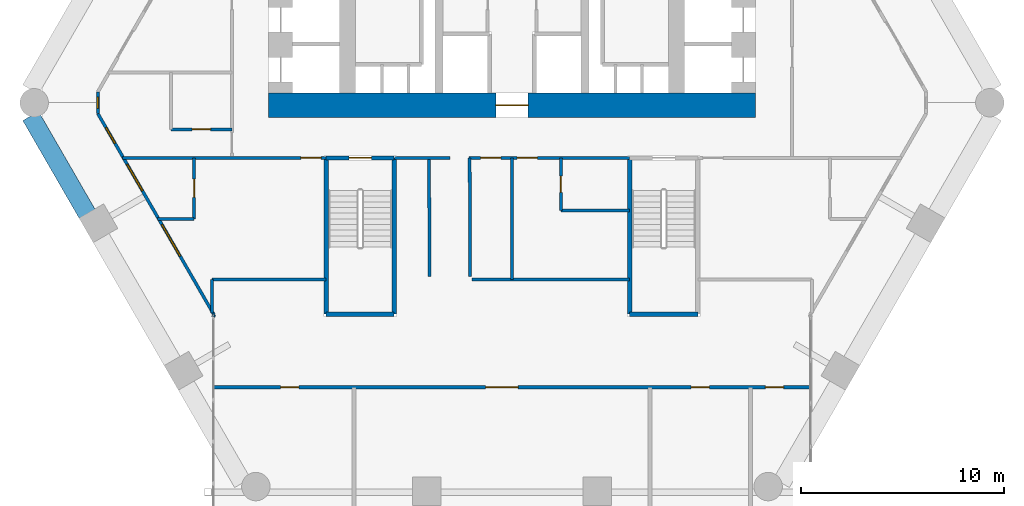
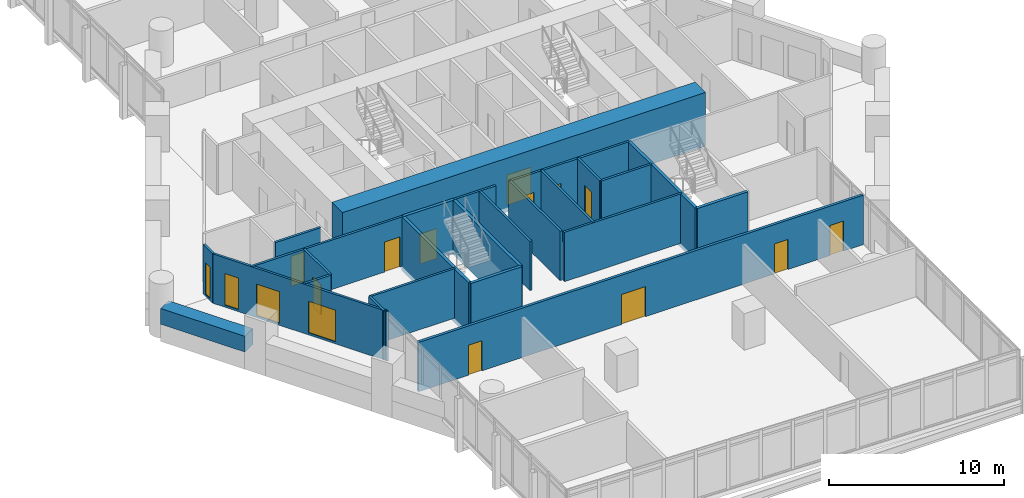
# One storey, part 23 of 28: 26 walls, 12 doors, 4 windows, 16 openings.
"""IFC4 building model written with IfcOpenShell, lengths in metres."""

from ifc_helpers import new_model, si_unit, direction, frame, frame_2d, origin, place, context, subcontext, project, spatial, rectangle, extrude, material, layer, layer_set, type_object, element, fill, save


model = new_model("IFC4")

# Units and contexts
model_context = context("Model", 3, precision=1e-05, world=origin(), true_north=direction((0.0, 1.0)))
body_context = subcontext(model_context, "Body", "Model", "MODEL_VIEW")
ifc_project = project(units=[si_unit("LENGTHUNIT", "METRE"), si_unit("AREAUNIT", "SQUARE_METRE"), si_unit("VOLUMEUNIT", "CUBIC_METRE"), si_unit("PLANEANGLEUNIT", "RADIAN"), si_unit("MASSUNIT", "GRAM", prefix="KILO")], contexts=[model_context])

# Site, building, storey
site_placement = place(None, origin())
site = spatial("IfcSite", under=ifc_project, at=site_placement, CompositionType="ELEMENT")
building_placement = place(site_placement, origin())
building = spatial("IfcBuilding", under=site, at=building_placement, Name="Ostrander Bayou Hotel Tower", CompositionType="ELEMENT")
storey_placement = place(building_placement, frame((0.0, 0.0, 73.0)))
storey = spatial("IfcBuildingStorey", under=building, at=storey_placement, Name="L18", CompositionType="ELEMENT", Elevation=73.0)

# Wall, opening, door
ifc_material_1 = material(Name="Concrete f'c 70 MPa", Category="concrete")
ifc_layer_1 = layer(ifc_material_1, 1.199951171875)
ifc_layer_set_1 = layer_set([ifc_layer_1], Name="CW1 core wall 1200 mm f'c 70 MPa")
wall_type_1 = type_object("IfcWallType", Name="CW1 core wall 1200 mm f'c 70 MPa", PredefinedType="SHEAR", material=ifc_layer_set_1)
wall_1_placement = place(storey_placement, frame((-12.0, -1.10009765625, -0.300048828125), z_axis=(0.0, 0.0, 1.0), x_axis=(1.0, 0.0, 0.0)))
wall_1 = element("IfcWall", 1, at=wall_1_placement, inside=storey, type_object=wall_type_1, Name="CW1 L18 S", PredefinedType="SHEAR", context=body_context, shape_type="SweptSolid", body=[
    extrude(rectangle(XDim=24.0, YDim=1.199951171875, at=frame_2d((12.0, 0.0))), origin(), (0.0, 0.0, 1.0), 3.75),
])
opening_1_placement = place(wall_1_placement, frame((11.199951171875, 0.0, 0.0)))
opening_1 = element("IfcOpeningElement", 2, at=opening_1_placement, cuts=wall_1, Name="Opening T18-001", PredefinedType="OPENING", context=body_context, shape_type="SweptSolid", body=[
    extrude(rectangle(XDim=1.60009765625, YDim=2.10009765625, at=frame_2d((0.800048828125, 1.050048828125))), frame((0.0, 0.60009765625, 0.0), z_axis=(0.0, -1.0, 0.0), x_axis=(1.0, 0.0, 0.0)), (0.0, 0.0, 1.0), 1.199951171875),
])
ifc_material_2 = material(Name="Timber door leaf", Category="wood")
door_type_1 = type_object("IfcDoorType", Name="D13 double door 1600 x 2100 mm, 1 hour", OperationType="SINGLE_SWING_LEFT", PredefinedType="DOOR", material=ifc_material_2)
door_1_placement = place(opening_1_placement, origin())
door_1 = element("IfcDoor", 3, at=door_1_placement, inside=storey, type_object=door_type_1, Name="dr:L18:001", OperationType="DOUBLE_DOOR_SINGLE_SWING", OverallHeight=2.10009765625, OverallWidth=1.60009765625, PredefinedType="DOOR", context=body_context, shape_type="SweptSolid", body=[
    extrude(rectangle(XDim=1.60009765625, YDim=2.10009765625, at=frame_2d((0.800048828125, 1.050048828125))), frame((0.0, 0.02490234375, 0.0), z_axis=(0.0, -1.0, 0.0), x_axis=(1.0, 0.0, 0.0)), (0.0, 0.0, 1.0), 0.050048828125),
])
fill(opening_1, door_1)

# Wall, openings, windows
ifc_material_3 = material(Name="Aluminium framed insulated wall", Category="aluminium")
ifc_layer_2 = layer(ifc_material_3, 0.14990234375)
ifc_layer_set_2 = layer_set([ifc_layer_2], Name="GW1 glass-line wall 150 mm")
wall_type_2 = type_object("IfcWallType", Name="GW1 glass-line wall 150 mm", PredefinedType="SOLIDWALL", material=ifc_layer_set_2)
wall_2_placement = place(storey_placement, frame((-20.40087890625, -1.514404296875, 0.0), z_axis=(0.0, 0.0, 1.0), x_axis=(0.499991453095, -0.866030338286, 0.0)))
wall_2 = element("IfcWall", 4, at=wall_2_placement, inside=storey, type_object=wall_type_2, Name="GW1 L18 SW 1", PredefinedType="SOLIDWALL", context=body_context, shape_type="SweptSolid", body=[
    extrude(rectangle(XDim=11.444091796875, YDim=0.14990234375, at=frame_2d((5.72216796875, 0.0))), origin(), (0.0, 0.0, 1.0), 3.449951171875),
])
opening_2_placement = place(wall_2_placement, frame((0.7890625, 0.0, 0.14990234375)))
opening_2 = element("IfcOpeningElement", 5, at=opening_2_placement, cuts=wall_2, Name="Opening W15", PredefinedType="OPENING", context=body_context, shape_type="SweptSolid", body=[
    extrude(rectangle(XDim=0.89990234375, YDim=2.199951171875, at=frame_2d((0.449951171875, 1.10009765625))), frame((0.0, 0.074951171875, 0.0), z_axis=(0.0, -1.0, 0.0), x_axis=(1.0, 0.0, 0.0)), (0.0, 0.0, 1.0), 0.14990234375),
])
opening_3_placement = place(wall_2_placement, frame((2.888916015625, 0.0, 0.14990234375)))
opening_3 = element("IfcOpeningElement", 6, at=opening_3_placement, cuts=wall_2, Name="Opening W11", PredefinedType="OPENING", context=body_context, shape_type="SweptSolid", body=[
    extrude(rectangle(XDim=1.5, YDim=2.199951171875, at=frame_2d((0.75, 1.10009765625))), frame((0.0, 0.074951171875, 0.0), z_axis=(0.0, -1.0, 0.0), x_axis=(1.0, 0.0, 0.0)), (0.0, 0.0, 1.0), 0.14990234375),
])
opening_4_placement = place(wall_2_placement, frame((6.31201171875, 0.0, 0.14990234375)))
opening_4 = element("IfcOpeningElement", 7, at=opening_4_placement, cuts=wall_2, Name="Opening W7", PredefinedType="OPENING", context=body_context, shape_type="SweptSolid", body=[
    extrude(rectangle(XDim=1.800048828125, YDim=2.199951171875, at=frame_2d((0.89990234375, 1.10009765625))), frame((0.0, 0.074951171875, 0.0), z_axis=(0.0, -1.0, 0.0), x_axis=(1.0, 0.0, 0.0)), (0.0, 0.0, 1.0), 0.14990234375),
])
ifc_material_4 = material(Name="Aluminium and clear glass", Category="aluminium")
window_type_1 = type_object("IfcWindowType", Name="W11 fixed window 1500 mm, bath bay, zone 1", PartitioningType="SINGLE_PANEL", PredefinedType="WINDOW", material=ifc_material_4)
window_1_placement = place(opening_3_placement, origin())
window_1 = element("IfcWindow", 8, at=window_1_placement, inside=storey, type_object=window_type_1, Name="W11 L18 SW 1", OverallHeight=2.199951171875, OverallWidth=1.5, PartitioningType="SINGLE_PANEL", PredefinedType="WINDOW", context=body_context, shape_type="SweptSolid", body=[
    extrude(rectangle(XDim=1.5, YDim=2.199951171875, at=frame_2d((0.75, 1.10009765625))), frame((0.0, 0.030029296875, 0.0), z_axis=(0.0, -1.0, 0.0), x_axis=(1.0, 0.0, 0.0)), (0.0, 0.0, 1.0), 0.06005859375),
])
fill(opening_3, window_1)
ifc_material_5 = material(Name="Aluminium and clear glass", Category="aluminium")
window_type_2 = type_object("IfcWindowType", Name="W15 window 900 mm, zone 1", PartitioningType="SINGLE_PANEL", PredefinedType="WINDOW", material=ifc_material_5)
window_2_placement = place(opening_2_placement, origin())
window_2 = element("IfcWindow", 9, at=window_2_placement, inside=storey, type_object=window_type_2, Name="W15 L18 SW 1", OverallHeight=2.199951171875, OverallWidth=0.89990234375, PartitioningType="SINGLE_PANEL", PredefinedType="WINDOW", context=body_context, shape_type="SweptSolid", body=[
    extrude(rectangle(XDim=0.89990234375, YDim=2.199951171875, at=frame_2d((0.449951171875, 1.10009765625))), frame((0.0, 0.030029296875, 0.0), z_axis=(0.0, -1.0, 0.0), x_axis=(1.0, 0.0, 0.0)), (0.0, 0.0, 1.0), 0.06005859375),
])
fill(opening_2, window_2)
ifc_material_6 = material(Name="Aluminium and clear glass", Category="aluminium")
window_type_3 = type_object("IfcWindowType", Name="W7 fixed window 1800 mm, bar storeys, zone 1", PartitioningType="SINGLE_PANEL", PredefinedType="WINDOW", material=ifc_material_6)
window_3_placement = place(opening_4_placement, origin())
window_3 = element("IfcWindow", 10, at=window_3_placement, inside=storey, type_object=window_type_3, Name="W7 L18 SW 2", OverallHeight=2.199951171875, OverallWidth=1.800048828125, PartitioningType="SINGLE_PANEL", PredefinedType="WINDOW", context=body_context, shape_type="SweptSolid", body=[
    extrude(rectangle(XDim=1.800048828125, YDim=2.199951171875, at=frame_2d((0.89990234375, 1.10009765625))), frame((0.0, 0.030029296875, 0.0), z_axis=(0.0, -1.0, 0.0), x_axis=(1.0, 0.0, 0.0)), (0.0, 0.0, 1.0), 0.06005859375),
])
fill(opening_4, window_3)

# Wall, opening, window
wall_3_placement = place(storey_placement, frame((-20.40087890625, -0.449462890625, 0.0), z_axis=(0.0, 0.0, 1.0), x_axis=(0.0, -1.0, 0.0)))
wall_3 = element("IfcWall", 11, at=wall_3_placement, inside=storey, type_object=wall_type_2, Name="GW1 L18 corner 2", PredefinedType="SOLIDWALL", context=body_context, shape_type="SweptSolid", body=[
    extrude(rectangle(XDim=1.06494140625, YDim=0.14990234375, at=frame_2d((0.532470703125, 0.0))), origin(), (0.0, 0.0, 1.0), 3.449951171875),
])
opening_5_placement = place(wall_3_placement, frame((0.257568359375, 0.0, 0.14990234375)))
opening_5 = element("IfcOpeningElement", 12, at=opening_5_placement, cuts=wall_3, Name="Opening W19", PredefinedType="OPENING", context=body_context, shape_type="SweptSolid", body=[
    extrude(rectangle(XDim=0.550048828125, YDim=2.199951171875, at=frame_2d((0.27490234375, 1.10009765625))), frame((0.0, 0.074951171875, 0.0), z_axis=(0.0, -1.0, 0.0), x_axis=(1.0, 0.0, 0.0)), (0.0, 0.0, 1.0), 0.14990234375),
])
ifc_material_7 = material(Name="Aluminium and clear glass", Category="aluminium")
window_type_4 = type_object("IfcWindowType", Name="W19 corner window 550 mm", PartitioningType="SINGLE_PANEL", PredefinedType="WINDOW", material=ifc_material_7)
window_4_placement = place(opening_5_placement, origin())
window_4 = element("IfcWindow", 13, at=window_4_placement, inside=storey, type_object=window_type_4, Name="W19 L18 corner 2", OverallHeight=2.199951171875, OverallWidth=0.550048828125, PartitioningType="SINGLE_PANEL", PredefinedType="WINDOW", context=body_context, shape_type="SweptSolid", body=[
    extrude(rectangle(XDim=0.550048828125, YDim=2.199951171875, at=frame_2d((0.27490234375, 1.10009765625))), frame((0.0, 0.030029296875, 0.0), z_axis=(0.0, -1.0, 0.0), x_axis=(1.0, 0.0, 0.0)), (0.0, 0.0, 1.0), 0.06005859375),
])
fill(opening_5, window_4)

# Walls
wall_4_placement = place(storey_placement, frame((-14.678955078125, -11.42529296875, 0.0), z_axis=(0.0, 0.0, 1.0), x_axis=(-0.338543167143, -0.940950861619, 0.0)))
element("IfcWall", 14, at=wall_4_placement, inside=storey, type_object=wall_type_2, Name="GW1 L18 bar joint 1", PredefinedType="SOLIDWALL", context=body_context, shape_type="SweptSolid", body=[
    extrude(rectangle(XDim=0.09814453125, YDim=0.14990234375, at=frame_2d((0.049072265625, 0.0))), origin(), (0.0, 0.0, 1.0), 3.449951171875),
])
ifc_material_8 = material(Name="Limestone masonry", Category="masonry")
ifc_layer_3 = layer(ifc_material_8, 0.89990234375)
ifc_layer_set_3 = layer_set([ifc_layer_3], Name="PA2 limestone parapet 900 mm")
wall_type_3 = type_object("IfcWallType", Name="PA2 limestone parapet 900 mm", PredefinedType="PARAPET", material=ifc_layer_set_3)
wall_5_placement = place(storey_placement, frame((-23.707275390625, -1.637939453125, 0.0), z_axis=(0.0, 0.0, 1.0), x_axis=(0.500009557824, -0.866019885502, 0.0)))
element("IfcWall", 15, at=wall_5_placement, inside=storey, type_object=wall_type_3, Name="PA2 L18 SW-1", PredefinedType="PARAPET", context=body_context, shape_type="SweptSolid", body=[
    extrude(rectangle(XDim=5.56982421875, YDim=0.89990234375, at=frame_2d((2.784912109375, 0.0))), origin(), (0.0, 0.0, 1.0), 1.10009765625),
])

# Wall, openings, doors
ifc_material_9 = material(Name="Gypsum board partition", Category="finish")
ifc_layer_4 = layer(ifc_material_9, 0.175048828125)
ifc_layer_set_4 = layer_set([ifc_layer_4], Name="PT4 corridor wall 175 mm, 1 hour")
wall_type_4 = type_object("IfcWallType", Name="PT4 corridor wall 175 mm, 1 hour", PredefinedType="PARTITIONING", material=ifc_layer_set_4)
wall_6_placement = place(storey_placement, frame((-14.693115234375, -15.0, 0.0), z_axis=(0.0, 0.0, 1.0), x_axis=(1.0, 0.0, 0.0)))
wall_6 = element("IfcWall", 16, at=wall_6_placement, inside=storey, type_object=wall_type_4, Name="sw:L18:500", PredefinedType="PARTITIONING", context=body_context, shape_type="SweptSolid", body=[
    extrude(rectangle(XDim=29.38623046875, YDim=0.175048828125, at=frame_2d((14.693115234375, 0.0))), origin(), (0.0, 0.0, 1.0), 3.449951171875),
])
opening_6_placement = place(wall_6_placement, frame((3.29833984375, 0.0, 0.0)))
opening_6 = element("IfcOpeningElement", 17, at=opening_6_placement, cuts=wall_6, Name="Opening T18-1200", PredefinedType="OPENING", context=body_context, shape_type="SweptSolid", body=[
    extrude(rectangle(XDim=0.89990234375, YDim=2.10009765625, at=frame_2d((0.449951171875, 1.050048828125))), frame((0.0, 0.08740234375, 0.0), z_axis=(0.0, -1.0, 0.0), x_axis=(1.0, 0.0, 0.0)), (0.0, 0.0, 1.0), 0.175048828125),
])
opening_7_placement = place(wall_6_placement, frame((23.510498046875, 0.0, 0.0)))
opening_7 = element("IfcOpeningElement", 18, at=opening_7_placement, cuts=wall_6, Name="Opening T18-1204", PredefinedType="OPENING", context=body_context, shape_type="SweptSolid", body=[
    extrude(rectangle(XDim=0.89990234375, YDim=2.10009765625, at=frame_2d((0.449951171875, 1.050048828125))), frame((0.0, 0.08740234375, 0.0), z_axis=(0.0, -1.0, 0.0), x_axis=(1.0, 0.0, 0.0)), (0.0, 0.0, 1.0), 0.175048828125),
])
opening_8_placement = place(wall_6_placement, frame((27.16796875, 0.0, 0.0)))
opening_8 = element("IfcOpeningElement", 19, at=opening_8_placement, cuts=wall_6, Name="Opening T18-1205", PredefinedType="OPENING", context=body_context, shape_type="SweptSolid", body=[
    extrude(rectangle(XDim=0.89990234375, YDim=2.10009765625, at=frame_2d((0.449951171875, 1.050048828125))), frame((0.0, 0.08740234375, 0.0), z_axis=(0.0, -1.0, 0.0), x_axis=(1.0, 0.0, 0.0)), (0.0, 0.0, 1.0), 0.175048828125),
])
opening_9_placement = place(wall_6_placement, frame((13.393310546875, 0.0, 0.0)))
opening_9 = element("IfcOpeningElement", 20, at=opening_9_placement, cuts=wall_6, Name="Opening T18-1206", PredefinedType="OPENING", context=body_context, shape_type="SweptSolid", body=[
    extrude(rectangle(XDim=1.60009765625, YDim=2.10009765625, at=frame_2d((0.800048828125, 1.050048828125))), frame((0.0, 0.08740234375, 0.0), z_axis=(0.0, -1.0, 0.0), x_axis=(1.0, 0.0, 0.0)), (0.0, 0.0, 1.0), 0.175048828125),
])
door_2_placement = place(opening_9_placement, origin())
door_2 = element("IfcDoor", 21, at=door_2_placement, inside=storey, type_object=door_type_1, Name="dr:L18:1206", OperationType="DOUBLE_DOOR_SINGLE_SWING", OverallHeight=2.10009765625, OverallWidth=1.60009765625, PredefinedType="DOOR", context=body_context, shape_type="SweptSolid", body=[
    extrude(rectangle(XDim=1.60009765625, YDim=2.10009765625, at=frame_2d((0.800048828125, 1.050048828125))), frame((0.0, 0.02490234375, 0.0), z_axis=(0.0, -1.0, 0.0), x_axis=(1.0, 0.0, 0.0)), (0.0, 0.0, 1.0), 0.050048828125),
])
fill(opening_9, door_2)
ifc_material_10 = material(Name="Timber door leaf", Category="wood")
door_type_2 = type_object("IfcDoorType", Name="D8 room door 900 x 2100 mm", OperationType="SINGLE_SWING_LEFT", PredefinedType="DOOR", material=ifc_material_10)
door_3_placement = place(opening_6_placement, origin())
door_3 = element("IfcDoor", 22, at=door_3_placement, inside=storey, type_object=door_type_2, Name="dr:L18:1200", OperationType="SINGLE_SWING_RIGHT", OverallHeight=2.10009765625, OverallWidth=0.89990234375, PredefinedType="DOOR", context=body_context, shape_type="SweptSolid", body=[
    extrude(rectangle(XDim=0.89990234375, YDim=2.10009765625, at=frame_2d((0.449951171875, 1.050048828125))), frame((0.0, 0.02490234375, 0.0), z_axis=(0.0, -1.0, 0.0), x_axis=(1.0, 0.0, 0.0)), (0.0, 0.0, 1.0), 0.050048828125),
])
fill(opening_6, door_3)
door_4_placement = place(opening_7_placement, origin())
door_4 = element("IfcDoor", 23, at=door_4_placement, inside=storey, type_object=door_type_2, Name="dr:L18:1204", OperationType="SINGLE_SWING_RIGHT", OverallHeight=2.10009765625, OverallWidth=0.89990234375, PredefinedType="DOOR", context=body_context, shape_type="SweptSolid", body=[
    extrude(rectangle(XDim=0.89990234375, YDim=2.10009765625, at=frame_2d((0.449951171875, 1.050048828125))), frame((0.0, 0.02490234375, 0.0), z_axis=(0.0, -1.0, 0.0), x_axis=(1.0, 0.0, 0.0)), (0.0, 0.0, 1.0), 0.050048828125),
])
fill(opening_7, door_4)
door_5_placement = place(opening_8_placement, origin())
door_5 = element("IfcDoor", 24, at=door_5_placement, inside=storey, type_object=door_type_2, Name="dr:L18:1205", OperationType="SINGLE_SWING_LEFT", OverallHeight=2.10009765625, OverallWidth=0.89990234375, PredefinedType="DOOR", context=body_context, shape_type="SweptSolid", body=[
    extrude(rectangle(XDim=0.89990234375, YDim=2.10009765625, at=frame_2d((0.449951171875, 1.050048828125))), frame((0.0, 0.02490234375, 0.0), z_axis=(0.0, -1.0, 0.0), x_axis=(1.0, 0.0, 0.0)), (0.0, 0.0, 1.0), 0.050048828125),
])
fill(opening_8, door_5)

# Walls
ifc_material_11 = material(Name="Gypsum board partition", Category="finish")
ifc_layer_5 = layer(ifc_material_11, 0.14990234375)
ifc_layer_set_5 = layer_set([ifc_layer_5], Name="PT8 service band wall 150 mm, 1 hour")
wall_type_5 = type_object("IfcWallType", Name="PT8 service band wall 150 mm, 1 hour", PredefinedType="PARTITIONING", material=ifc_layer_set_5)
wall_7_placement = place(storey_placement, frame((-14.784912109375, -9.679931640625, 0.0), z_axis=(0.0, 0.0, 1.0), x_axis=(1.0, 0.0, 0.0)))
element("IfcWall", 25, at=wall_7_placement, inside=storey, type_object=wall_type_5, Name="gw:L18:001", PredefinedType="PARTITIONING", context=body_context, shape_type="SweptSolid", body=[
    extrude(rectangle(XDim=5.625, YDim=0.14990234375, at=frame_2d((2.8125, 0.0))), origin(), (0.0, 0.0, 1.0), 3.449951171875),
])
wall_8_placement = place(storey_placement, frame((-1.97998046875, -9.679931640625, 0.0), z_axis=(0.0, 0.0, 1.0), x_axis=(1.0, 0.0, 0.0)))
element("IfcWall", 26, at=wall_8_placement, inside=storey, type_object=wall_type_5, Name="gw:L18:002", PredefinedType="PARTITIONING", context=body_context, shape_type="SweptSolid", body=[
    extrude(rectangle(XDim=7.77001953125, YDim=0.14990234375, at=frame_2d((3.885009765625, 0.0))), origin(), (0.0, 0.0, 1.0), 3.449951171875),
])
wall_9_placement = place(storey_placement, frame((-17.458984375, -6.699951171875, 0.0), z_axis=(0.0, 0.0, 1.0), x_axis=(1.0, 0.0, 0.0)))
element("IfcWall", 27, at=wall_9_placement, inside=storey, type_object=wall_type_5, Name="gw:L18:004", PredefinedType="PARTITIONING", context=body_context, shape_type="SweptSolid", body=[
    extrude(rectangle(XDim=1.799072265625, YDim=0.14990234375, at=frame_2d((0.8994140625, 0.0))), origin(), (0.0, 0.0, 1.0), 3.449951171875),
])
wall_10_placement = place(storey_placement, frame((2.409912109375, -6.300048828125, 0.0), z_axis=(0.0, 0.0, 1.0), x_axis=(1.0, 0.0, 0.0)))
element("IfcWall", 28, at=wall_10_placement, inside=storey, type_object=wall_type_5, Name="gw:L18:006", PredefinedType="PARTITIONING", context=body_context, shape_type="SweptSolid", body=[
    extrude(rectangle(XDim=3.380126953125, YDim=0.14990234375, at=frame_2d((1.68994140625, 0.0))), origin(), (0.0, 0.0, 1.0), 3.449951171875),
])

# Wall, opening, door
wall_11_placement = place(storey_placement, frame((-19.19091796875, -3.699951171875, 0.0), z_axis=(0.0, 0.0, 1.0), x_axis=(1.0, 0.0, 0.0)))
wall_11 = element("IfcWall", 29, at=wall_11_placement, inside=storey, type_object=wall_type_5, Name="gw:L18:007", PredefinedType="PARTITIONING", context=body_context, shape_type="SweptSolid", body=[
    extrude(rectangle(XDim=10.031005859375, YDim=0.14990234375, at=frame_2d((5.015625, 0.0))), origin(), (0.0, 0.0, 1.0), 3.449951171875),
])
opening_10_placement = place(wall_11_placement, frame((8.791015625, 0.0, 0.0)))
opening_10 = element("IfcOpeningElement", 30, at=opening_10_placement, cuts=wall_11, Name="Opening T18-401", PredefinedType="OPENING", context=body_context, shape_type="SweptSolid", body=[
    extrude(rectangle(XDim=1.0, YDim=2.10009765625, at=frame_2d((0.5, 1.050048828125))), frame((0.0, 0.074951171875, 0.0), z_axis=(0.0, -1.0, 0.0), x_axis=(1.0, 0.0, 0.0)), (0.0, 0.0, 1.0), 0.14990234375),
])
ifc_material_12 = material(Name="Timber door leaf", Category="wood")
door_type_3 = type_object("IfcDoorType", Name="D1 guest room door 1000 x 2100 mm, 30 minute", OperationType="SINGLE_SWING_LEFT", PredefinedType="DOOR", material=ifc_material_12)
door_6_placement = place(opening_10_placement, origin())
door_6 = element("IfcDoor", 31, at=door_6_placement, inside=storey, type_object=door_type_3, Name="dr:L18:401", OperationType="SINGLE_SWING_RIGHT", OverallHeight=2.10009765625, OverallWidth=1.0, PredefinedType="DOOR", context=body_context, shape_type="SweptSolid", body=[
    extrude(rectangle(XDim=1.0, YDim=2.10009765625, at=frame_2d((0.5, 1.050048828125))), frame((0.0, 0.02490234375, 0.0), z_axis=(0.0, -1.0, 0.0), x_axis=(1.0, 0.0, 0.0)), (0.0, 0.0, 1.0), 0.050048828125),
])
fill(opening_10, door_6)

# Wall
wall_12_placement = place(storey_placement, frame((-5.7900390625, -3.699951171875, 0.0), z_axis=(0.0, 0.0, 1.0), x_axis=(1.0, 0.0, 0.0)))
element("IfcWall", 32, at=wall_12_placement, inside=storey, type_object=wall_type_5, Name="gw:L18:008", PredefinedType="PARTITIONING", context=body_context, shape_type="SweptSolid", body=[
    extrude(rectangle(XDim=2.7451171875, YDim=0.14990234375, at=frame_2d((1.37255859375, 0.0))), origin(), (0.0, 0.0, 1.0), 3.449951171875),
])

# Wall, openings, doors
wall_13_placement = place(storey_placement, frame((-2.125, -3.699951171875, 0.0), z_axis=(0.0, 0.0, 1.0), x_axis=(1.0, 0.0, 0.0)))
wall_13 = element("IfcWall", 33, at=wall_13_placement, inside=storey, type_object=wall_type_5, Name="gw:L18:009", PredefinedType="PARTITIONING", context=body_context, shape_type="SweptSolid", body=[
    extrude(rectangle(XDim=7.9150390625, YDim=0.14990234375, at=frame_2d((3.95751953125, 0.0))), origin(), (0.0, 0.0, 1.0), 3.449951171875),
])
opening_11_placement = place(wall_13_placement, frame((0.5830078125, 0.0, 0.0)))
opening_11 = element("IfcOpeningElement", 34, at=opening_11_placement, cuts=wall_13, Name="Opening T18-400", PredefinedType="OPENING", context=body_context, shape_type="SweptSolid", body=[
    extrude(rectangle(XDim=1.0, YDim=2.10009765625, at=frame_2d((0.5, 1.050048828125))), frame((0.0, 0.074951171875, 0.0), z_axis=(0.0, -1.0, 0.0), x_axis=(1.0, 0.0, 0.0)), (0.0, 0.0, 1.0), 0.14990234375),
])
opening_12_placement = place(wall_13_placement, frame((2.375, 0.0, 0.0)))
opening_12 = element("IfcOpeningElement", 35, at=opening_12_placement, cuts=wall_13, Name="Opening T18-403", PredefinedType="OPENING", context=body_context, shape_type="SweptSolid", body=[
    extrude(rectangle(XDim=1.0, YDim=2.10009765625, at=frame_2d((0.5, 1.050048828125))), frame((0.0, 0.074951171875, 0.0), z_axis=(0.0, -1.0, 0.0), x_axis=(1.0, 0.0, 0.0)), (0.0, 0.0, 1.0), 0.14990234375),
])
door_7_placement = place(opening_12_placement, origin())
door_7 = element("IfcDoor", 36, at=door_7_placement, inside=storey, type_object=door_type_3, Name="dr:L18:403", OperationType="SINGLE_SWING_LEFT", OverallHeight=2.10009765625, OverallWidth=1.0, PredefinedType="DOOR", context=body_context, shape_type="SweptSolid", body=[
    extrude(rectangle(XDim=1.0, YDim=2.10009765625, at=frame_2d((0.5, 1.050048828125))), frame((0.0, 0.02490234375, 0.0), z_axis=(0.0, -1.0, 0.0), x_axis=(1.0, 0.0, 0.0)), (0.0, 0.0, 1.0), 0.050048828125),
])
fill(opening_12, door_7)
ifc_material_13 = material(Name="Timber door leaf", Category="wood")
door_type_4 = type_object("IfcDoorType", Name="D9 service door 1000 x 2100 mm, 30 minute", OperationType="SINGLE_SWING_LEFT", PredefinedType="DOOR", material=ifc_material_13)
door_8_placement = place(opening_11_placement, origin())
door_8 = element("IfcDoor", 37, at=door_8_placement, inside=storey, type_object=door_type_4, Name="dr:L18:400", OperationType="SINGLE_SWING_RIGHT", OverallHeight=2.10009765625, OverallWidth=1.0, PredefinedType="DOOR", context=body_context, shape_type="SweptSolid", body=[
    extrude(rectangle(XDim=1.0, YDim=2.10009765625, at=frame_2d((0.5, 1.050048828125))), frame((0.0, 0.02490234375, 0.0), z_axis=(0.0, -1.0, 0.0), x_axis=(1.0, 0.0, 0.0)), (0.0, 0.0, 1.0), 0.050048828125),
])
fill(opening_11, door_8)

# Wall, opening, door
wall_14_placement = place(storey_placement, frame((-16.800048828125, -2.300048828125, 0.0), z_axis=(0.0, 0.0, 1.0), x_axis=(1.0, 0.0, 0.0)))
wall_14 = element("IfcWall", 38, at=wall_14_placement, inside=storey, type_object=wall_type_5, Name="gw:L18:011", PredefinedType="PARTITIONING", context=body_context, shape_type="SweptSolid", body=[
    extrude(rectangle(XDim=3.0, YDim=0.14990234375, at=frame_2d((1.5, 0.0))), origin(), (0.0, 0.0, 1.0), 3.449951171875),
])
opening_13_placement = place(wall_14_placement, frame((1.050048828125, 0.0, 0.0)))
opening_13 = element("IfcOpeningElement", 39, at=opening_13_placement, cuts=wall_14, Name="Opening T18-408", PredefinedType="OPENING", context=body_context, shape_type="SweptSolid", body=[
    extrude(rectangle(XDim=0.89990234375, YDim=2.10009765625, at=frame_2d((0.449951171875, 1.050048828125))), frame((0.0, 0.074951171875, 0.0), z_axis=(0.0, -1.0, 0.0), x_axis=(1.0, 0.0, 0.0)), (0.0, 0.0, 1.0), 0.14990234375),
])
ifc_material_14 = material(Name="Timber door leaf", Category="wood")
door_type_5 = type_object("IfcDoorType", Name="D14 bathroom door 900 x 2100 mm", OperationType="SINGLE_SWING_LEFT", PredefinedType="DOOR", material=ifc_material_14)
door_9_placement = place(opening_13_placement, origin())
door_9 = element("IfcDoor", 40, at=door_9_placement, inside=storey, type_object=door_type_5, Name="dr:L18:408", OperationType="SINGLE_SWING_RIGHT", OverallHeight=2.10009765625, OverallWidth=0.89990234375, PredefinedType="DOOR", context=body_context, shape_type="SweptSolid", body=[
    extrude(rectangle(XDim=0.89990234375, YDim=2.10009765625, at=frame_2d((0.449951171875, 1.050048828125))), frame((0.0, 0.02490234375, 0.0), z_axis=(0.0, -1.0, 0.0), x_axis=(1.0, 0.0, 0.0)), (0.0, 0.0, 1.0), 0.050048828125),
])
fill(opening_13, door_9)

wall_15_placement = place(storey_placement, frame((2.409912109375, -6.300048828125, 0.0), z_axis=(0.0, 0.0, 1.0), x_axis=(0.0, 1.0, 0.0)))
wall_15 = element("IfcWall", 41, at=wall_15_placement, inside=storey, type_object=wall_type_5, Name="gw:L18:020", PredefinedType="PARTITIONING", context=body_context, shape_type="SweptSolid", body=[
    extrude(rectangle(XDim=2.60009765625, YDim=0.14990234375, at=frame_2d((1.300048828125, 0.0))), origin(), (0.0, 0.0, 1.0), 3.449951171875),
])
opening_14_placement = place(wall_15_placement, frame((0.89990234375, 0.0, 0.0)))
opening_14 = element("IfcOpeningElement", 42, at=opening_14_placement, cuts=wall_15, Name="Opening T18-404", PredefinedType="OPENING", context=body_context, shape_type="SweptSolid", body=[
    extrude(rectangle(XDim=0.800048828125, YDim=2.10009765625, at=frame_2d((0.39990234375, 1.050048828125))), frame((0.0, 0.074951171875, 0.0), z_axis=(0.0, -1.0, 0.0), x_axis=(1.0, 0.0, 0.0)), (0.0, 0.0, 1.0), 0.14990234375),
])
ifc_material_15 = material(Name="Timber door leaf", Category="wood")
door_type_6 = type_object("IfcDoorType", Name="D2 bathroom door 800 x 2100 mm", OperationType="SINGLE_SWING_LEFT", PredefinedType="DOOR", material=ifc_material_15)
door_10_placement = place(opening_14_placement, origin())
door_10 = element("IfcDoor", 43, at=door_10_placement, inside=storey, type_object=door_type_6, Name="dr:L18:404", OperationType="SINGLE_SWING_RIGHT", OverallHeight=2.10009765625, OverallWidth=0.800048828125, PredefinedType="DOOR", context=body_context, shape_type="SweptSolid", body=[
    extrude(rectangle(XDim=0.800048828125, YDim=2.10009765625, at=frame_2d((0.39990234375, 1.050048828125))), frame((0.0, 0.02490234375, 0.0), z_axis=(0.0, -1.0, 0.0), x_axis=(1.0, 0.0, 0.0)), (0.0, 0.0, 1.0), 0.050048828125),
])
fill(opening_14, door_10)

# Walls
wall_16_placement = place(storey_placement, frame((0.0, -9.679931640625, 0.0), z_axis=(0.0, 0.0, 1.0), x_axis=(0.0, 1.0, 0.0)))
element("IfcWall", 44, at=wall_16_placement, inside=storey, type_object=wall_type_5, Name="gw:L18:021", PredefinedType="PARTITIONING", context=body_context, shape_type="SweptSolid", body=[
    extrude(rectangle(XDim=5.97998046875, YDim=0.14990234375, at=frame_2d((2.989990234375, 0.0))), origin(), (0.0, 0.0, 1.0), 3.449951171875),
])
wall_17_placement = place(storey_placement, frame((-14.784912109375, -11.33203125, 0.0), z_axis=(0.0, 0.0, 1.0), x_axis=(0.0, 1.0, 0.0)))
element("IfcWall", 45, at=wall_17_placement, inside=storey, type_object=wall_type_5, Name="gw:L18:023", PredefinedType="PARTITIONING", context=body_context, shape_type="SweptSolid", body=[
    extrude(rectangle(XDim=1.652099609375, YDim=0.14990234375, at=frame_2d((0.826171875, 0.0))), origin(), (0.0, 0.0, 1.0), 3.449951171875),
])

# Wall, opening, door
wall_18_placement = place(storey_placement, frame((-15.659912109375, -6.699951171875, 0.0), z_axis=(0.0, 0.0, 1.0), x_axis=(0.0, 1.0, 0.0)))
wall_18 = element("IfcWall", 46, at=wall_18_placement, inside=storey, type_object=wall_type_5, Name="gw:L18:025", PredefinedType="PARTITIONING", context=body_context, shape_type="SweptSolid", body=[
    extrude(rectangle(XDim=3.0, YDim=0.14990234375, at=frame_2d((1.5, 0.0))), origin(), (0.0, 0.0, 1.0), 3.449951171875),
])
opening_15_placement = place(wall_18_placement, frame((1.050048828125, 0.0, 0.0)))
opening_15 = element("IfcOpeningElement", 47, at=opening_15_placement, cuts=wall_18, Name="Opening T18-402", PredefinedType="OPENING", context=body_context, shape_type="SweptSolid", body=[
    extrude(rectangle(XDim=0.89990234375, YDim=2.10009765625, at=frame_2d((0.449951171875, 1.050048828125))), frame((0.0, 0.074951171875, 0.0), z_axis=(0.0, -1.0, 0.0), x_axis=(1.0, 0.0, 0.0)), (0.0, 0.0, 1.0), 0.14990234375),
])
door_11_placement = place(opening_15_placement, origin())
door_11 = element("IfcDoor", 48, at=door_11_placement, inside=storey, type_object=door_type_5, Name="dr:L18:402", OperationType="SINGLE_SWING_RIGHT", OverallHeight=2.10009765625, OverallWidth=0.89990234375, PredefinedType="DOOR", context=body_context, shape_type="SweptSolid", body=[
    extrude(rectangle(XDim=0.89990234375, YDim=2.10009765625, at=frame_2d((0.449951171875, 1.050048828125))), frame((0.0, 0.02490234375, 0.0), z_axis=(0.0, -1.0, 0.0), x_axis=(1.0, 0.0, 0.0)), (0.0, 0.0, 1.0), 0.050048828125),
])
fill(opening_15, door_11)

# Walls
wall_19_placement = place(storey_placement, frame((-2.06103515625, -9.5400390625, 0.0), z_axis=(0.0, 0.0, 1.0), x_axis=(-0.004096784315, 0.999991608144, 0.0)))
element("IfcWall", 49, at=wall_19_placement, inside=storey, type_object=wall_type_5, Name="gw:L18:027", PredefinedType="PARTITIONING", context=body_context, shape_type="SweptSolid", body=[
    extrude(rectangle(XDim=5.840087890625, YDim=0.14990234375, at=frame_2d((2.919921875, 0.0))), origin(), (0.0, 0.0, 1.0), 3.449951171875),
])
wall_20_placement = place(storey_placement, frame((-4.06103515625, -9.5400390625, 0.0), z_axis=(0.0, 0.0, 1.0), x_axis=(-0.004100383939, 0.99999159339, 0.0)))
element("IfcWall", 50, at=wall_20_placement, inside=storey, type_object=wall_type_5, Name="gw:L18:028", PredefinedType="PARTITIONING", context=body_context, shape_type="SweptSolid", body=[
    extrude(rectangle(XDim=5.8349609375, YDim=0.14990234375, at=frame_2d((2.91748046875, 0.0))), origin(), (0.0, 0.0, 1.0), 3.449951171875),
])
ifc_material_16 = material(Name="Concrete f'c 45 MPa", Category="concrete")
ifc_layer_6 = layer(ifc_material_16, 0.199951171875)
ifc_layer_set_6 = layer_set([ifc_layer_6], Name="SW5 stair enclosure wall 200 mm f'c 45 MPa")
wall_type_6 = type_object("IfcWallType", Name="SW5 stair enclosure wall 200 mm f'c 45 MPa", PredefinedType="SOLIDWALL", material=ifc_layer_set_6)
wall_21_placement = place(storey_placement, frame((5.800048828125, -3.699951171875, -0.300048828125), z_axis=(0.0, 0.0, 1.0), x_axis=(0.0, -1.0, 0.0)))
element("IfcWall", 51, at=wall_21_placement, inside=storey, type_object=wall_type_6, Name="cs:L18:018", PredefinedType="SOLIDWALL", context=body_context, shape_type="SweptSolid", body=[
    extrude(rectangle(XDim=7.699951171875, YDim=0.199951171875, at=frame_2d((3.85009765625, 0.0))), origin(), (0.0, 0.0, 1.0), 3.75),
])
wall_22_placement = place(storey_placement, frame((5.800048828125, -11.39990234375, -0.300048828125), z_axis=(0.0, 0.0, 1.0), x_axis=(1.0, 0.0, 0.0)))
element("IfcWall", 52, at=wall_22_placement, inside=storey, type_object=wall_type_6, Name="cs:L18:020", PredefinedType="SOLIDWALL", context=body_context, shape_type="SweptSolid", body=[
    extrude(rectangle(XDim=3.349853515625, YDim=0.199951171875, at=frame_2d((1.6748046875, 0.0))), origin(), (0.0, 0.0, 1.0), 3.75),
])

# Wall, opening, door
wall_23_placement = place(storey_placement, frame((-9.14990234375, -3.699951171875, -0.300048828125), z_axis=(0.0, 0.0, 1.0), x_axis=(1.0, 0.0, 0.0)))
wall_23 = element("IfcWall", 53, at=wall_23_placement, inside=storey, type_object=wall_type_6, Name="cs:L18:021", PredefinedType="SOLIDWALL", context=body_context, shape_type="SweptSolid", body=[
    extrude(rectangle(XDim=3.349853515625, YDim=0.199951171875, at=frame_2d((1.6748046875, 0.0))), origin(), (0.0, 0.0, 1.0), 3.75),
])
opening_16_placement = place(wall_23_placement, frame((1.125, 0.0, 0.0)))
opening_16 = element("IfcOpeningElement", 54, at=opening_16_placement, cuts=wall_23, Name="Opening T18-008", PredefinedType="OPENING", context=body_context, shape_type="SweptSolid", body=[
    extrude(rectangle(XDim=1.10009765625, YDim=2.10009765625, at=frame_2d((0.550048828125, 1.050048828125))), frame((0.0, 0.10009765625, 0.0), z_axis=(0.0, -1.0, 0.0), x_axis=(1.0, 0.0, 0.0)), (0.0, 0.0, 1.0), 0.199951171875),
])
ifc_material_17 = material(Name="Timber door leaf", Category="wood")
door_type_7 = type_object("IfcDoorType", Name="D5 stair door 1100 x 2100 mm, 90 minute", OperationType="SINGLE_SWING_LEFT", PredefinedType="DOOR", material=ifc_material_17)
door_12_placement = place(opening_16_placement, origin())
door_12 = element("IfcDoor", 55, at=door_12_placement, inside=storey, type_object=door_type_7, Name="dr:L18:008", OperationType="SINGLE_SWING_LEFT", OverallHeight=2.10009765625, OverallWidth=1.10009765625, PredefinedType="DOOR", context=body_context, shape_type="SweptSolid", body=[
    extrude(rectangle(XDim=1.10009765625, YDim=2.10009765625, at=frame_2d((0.550048828125, 1.050048828125))), frame((0.0, 0.02490234375, 0.0), z_axis=(0.0, -1.0, 0.0), x_axis=(1.0, 0.0, 0.0)), (0.0, 0.0, 1.0), 0.050048828125),
])
fill(opening_16, door_12)

# Walls
for number, where, z_axis, x_axis, name in (
    (56, (-9.14990234375, -3.699951171875, -0.300048828125), (0.0, 0.0, 1.0), (0.0, -1.0, 0.0), "cs:L18:022"),
    (57, (-5.800048828125, -3.699951171875, -0.300048828125), (0.0, 0.0, 1.0), (0.0, -1.0, 0.0), "cs:L18:023"),
):
    element("IfcWall", number, at=place(storey_placement, frame(where, z_axis=z_axis, x_axis=x_axis)), inside=storey, type_object=wall_type_6, Name=name, PredefinedType="SOLIDWALL", context=body_context, shape_type="SweptSolid", body=[
        extrude(rectangle(XDim=7.699951171875, YDim=0.199951171875, at=frame_2d((3.85009765625, 0.0))), origin(), (0.0, 0.0, 1.0), 3.75),
    ])
wall_24_placement = place(storey_placement, frame((-9.14990234375, -11.39990234375, -0.300048828125), z_axis=(0.0, 0.0, 1.0), x_axis=(1.0, 0.0, 0.0)))
element("IfcWall", 58, at=wall_24_placement, inside=storey, type_object=wall_type_6, Name="cs:L18:024", PredefinedType="SOLIDWALL", context=body_context, shape_type="SweptSolid", body=[
    extrude(rectangle(XDim=3.349853515625, YDim=0.199951171875, at=frame_2d((1.6748046875, 0.0))), origin(), (0.0, 0.0, 1.0), 3.75),
])

save(model, "model.ifc")
